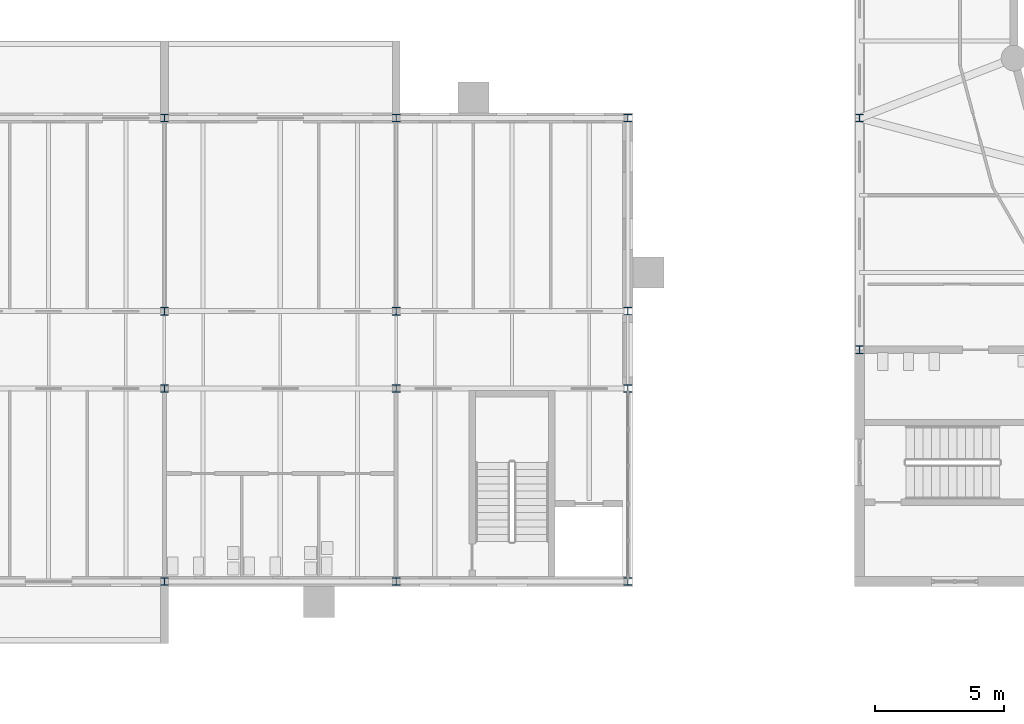
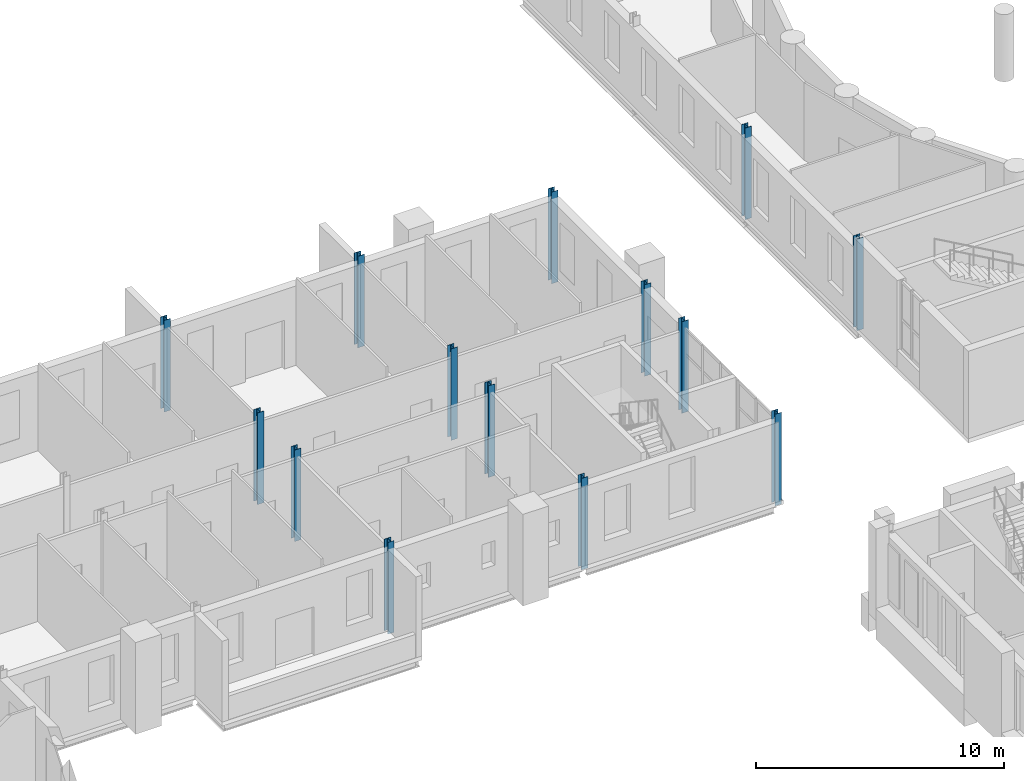
# One storey, part 10 of 134: 14 columns.
"""IFC4 building model written with IfcOpenShell, lengths in metres."""

from ifc_helpers import new_model, si_unit, direction, frame, origin, origin_2d, place, context, subcontext, project, spatial, i_section, extrude, material, material_profile, profile_set, type_object, element, save


model = new_model("IFC4")

# Units and contexts
model_context = context("Model", 3, precision=1e-05, world=origin(), true_north=direction((0.0, 1.0)))
body_context = subcontext(model_context, "Body", "Model", "MODEL_VIEW")
ifc_project = project(units=[si_unit("LENGTHUNIT", "METRE"), si_unit("AREAUNIT", "SQUARE_METRE"), si_unit("VOLUMEUNIT", "CUBIC_METRE"), si_unit("PLANEANGLEUNIT", "RADIAN"), si_unit("MASSUNIT", "GRAM", prefix="KILO")], contexts=[model_context])

# Site, building, storey
site_placement = place(None, origin())
site = spatial("IfcSite", under=ifc_project, at=site_placement, CompositionType="ELEMENT")
building_placement = place(site_placement, origin())
building = spatial("IfcBuilding", under=site, at=building_placement, Name="Golden Quay Civic Hall", CompositionType="ELEMENT")
storey_placement = place(building_placement, frame((0.0, 0.0, 5.39990234375)))
storey = spatial("IfcBuildingStorey", under=building, at=storey_placement, Name="L01", CompositionType="ELEMENT", Elevation=5.39990234375)

# Columns
ifc_material_1 = material(Name="Steel S355", Category="steel")
ifc_material_profile_1 = material_profile(ifc_material_1, i_section(OverallWidth=0.300048828125, OverallDepth=0.2900390625, WebThickness=0.008544921875, FlangeThickness=0.013916015625, FilletRadius=0.027099609375, at=origin_2d()), Name="HEA 300")
ifc_profile_set_1 = profile_set([ifc_material_profile_1], Name="Steel S355")
column_type_1 = type_object("IfcColumnType", Name="Steel column HEA 300", PredefinedType="COLUMN", material=ifc_profile_set_1)
for number, where, z_axis, x_axis, name in (
    (1, (36.0, 63.0, -0.199951171875), (0.0, 0.0, 1.0), (1.0, 0.0, 0.0), "Column 36/63 L01"),
    (2, (36.0, 81.0, -0.199951171875), (0.0, 0.0, 1.0), (1.0, 0.0, 0.0), "Column 36/81 L01"),
    (3, (45.0, 63.0, -0.199951171875), (0.0, 0.0, 1.0), (1.0, 0.0, 0.0), "Column 45/63 L01"),
    (4, (45.0, 81.0, -0.199951171875), (0.0, 0.0, 1.0), (1.0, 0.0, 0.0), "Column 45/81 L01"),
    (5, (54.0, 63.0, -0.199951171875), (0.0, 0.0, 1.0), (1.0, 0.0, 0.0), "Column 54/63 L01"),
    (6, (54.0, 70.5, -0.199951171875), (0.0, 0.0, 1.0), (1.0, 0.0, 0.0), "Column 54/70.5 L01"),
    (7, (54.0, 73.5, -0.199951171875), (0.0, 0.0, 1.0), (1.0, 0.0, 0.0), "Column 54/73.5 L01"),
    (8, (54.0, 81.0, -0.199951171875), (0.0, 0.0, 1.0), (1.0, 0.0, 0.0), "Column 54/81 L01"),
):
    element("IfcColumn", number, at=place(storey_placement, frame(where, z_axis=z_axis, x_axis=x_axis)), inside=storey, type_object=column_type_1, Name=name, PredefinedType="COLUMN", context=body_context, shape_type="SweptSolid", body=[
        extrude(i_section(OverallWidth=0.300048828125, OverallDepth=0.2900390625, WebThickness=0.008544921875, FlangeThickness=0.013916015625, FilletRadius=0.027099609375, at=origin_2d()), origin(), (0.0, 0.0, 1.0), 4.5),
    ])
ifc_material_2 = material(Name="Steel S355", Category="steel")
ifc_material_profile_2 = material_profile(ifc_material_2, i_section(OverallWidth=0.300048828125, OverallDepth=0.300048828125, WebThickness=0.010986328125, FlangeThickness=0.01904296875, FilletRadius=0.027099609375, at=origin_2d()), Name="HEB 300")
ifc_profile_set_2 = profile_set([ifc_material_profile_2], Name="Steel S355")
column_type_2 = type_object("IfcColumnType", Name="Steel column HEB 300", PredefinedType="COLUMN", material=ifc_profile_set_2)
for number, where, z_axis, x_axis, name in (
    (9, (36.0, 70.5, -0.199951171875), (0.0, 0.0, 1.0), (1.0, 0.0, 0.0), "Column 36/70.5 L01"),
    (10, (36.0, 73.5, -0.199951171875), (0.0, 0.0, 1.0), (1.0, 0.0, 0.0), "Column 36/73.5 L01"),
    (11, (45.0, 70.5, -0.199951171875), (0.0, 0.0, 1.0), (1.0, 0.0, 0.0), "Column 45/70.5 L01"),
    (12, (45.0, 73.5, -0.199951171875), (0.0, 0.0, 1.0), (1.0, 0.0, 0.0), "Column 45/73.5 L01"),
    (13, (63.0, 81.0, -0.199951171875), (0.0, 0.0, 1.0), (1.0, 0.0, 0.0), "Base column 5"),
    (14, (63.0, 72.0, -0.199951171875), (0.0, 0.0, 1.0), (1.0, 0.0, 0.0), "Base column 13"),
):
    element("IfcColumn", number, at=place(storey_placement, frame(where, z_axis=z_axis, x_axis=x_axis)), inside=storey, type_object=column_type_2, Name=name, PredefinedType="COLUMN", context=body_context, shape_type="SweptSolid", body=[
        extrude(i_section(OverallWidth=0.300048828125, OverallDepth=0.300048828125, WebThickness=0.010986328125, FlangeThickness=0.01904296875, FilletRadius=0.027099609375, at=origin_2d()), origin(), (0.0, 0.0, 1.0), 4.5),
    ])

save(model, "model.ifc")
